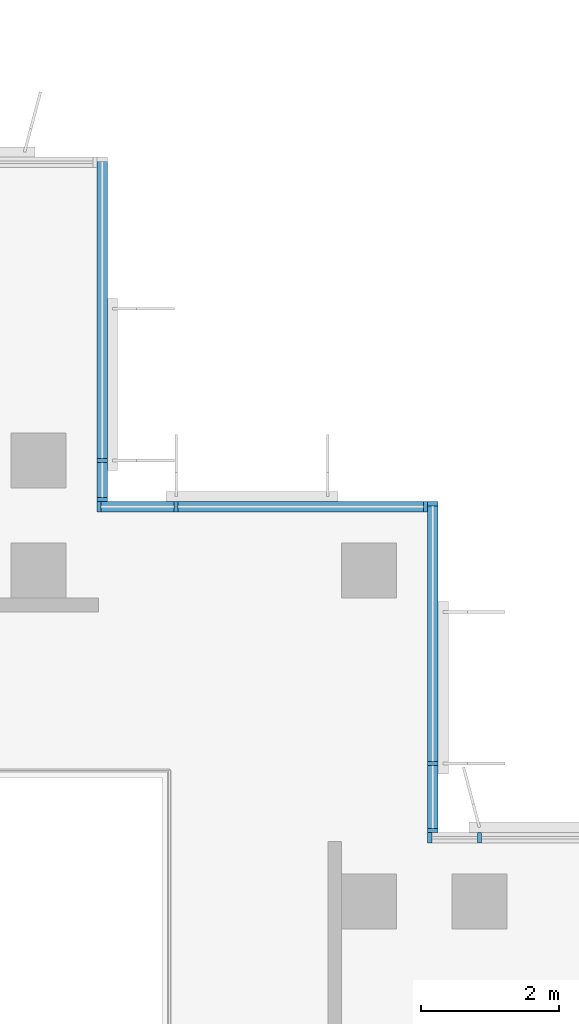
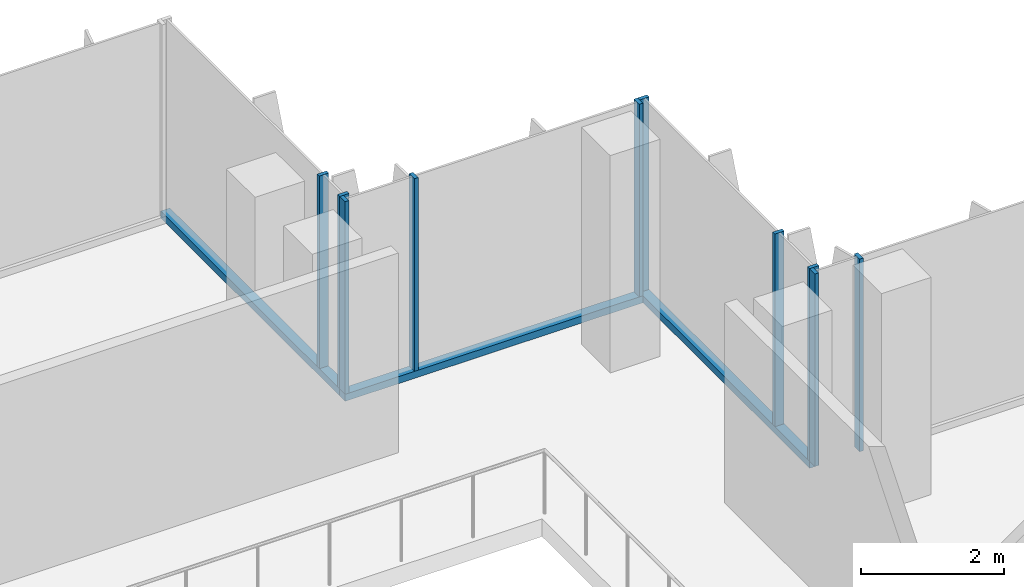
# One storey, part 2 of 14: 13 members, 4 elements without a shape of their own.
"""IFC4 building model written with IfcOpenShell, lengths in metres."""

from ifc_helpers import new_model, si_unit, direction, frame, origin, origin_2d, place, context, subcontext, project, spatial, rectangle, extrude, source, transform, mapped, material, material_profile, profile_set, type_object, element, aggregate, save


model = new_model("IFC4")

# Units and contexts
model_context = context("Model", 3, precision=1e-05, world=origin(), true_north=direction((0.0, 1.0)))
body_context = subcontext(model_context, "Body", "Model", "MODEL_VIEW")
ifc_project = project(units=[si_unit("LENGTHUNIT", "METRE"), si_unit("AREAUNIT", "SQUARE_METRE"), si_unit("VOLUMEUNIT", "CUBIC_METRE"), si_unit("PLANEANGLEUNIT", "RADIAN"), si_unit("MASSUNIT", "GRAM", prefix="KILO")], contexts=[model_context])

# Site, building, storey
site_placement = place(None, origin())
site = spatial("IfcSite", under=ifc_project, at=site_placement, CompositionType="ELEMENT")
building_placement = place(site_placement, origin())
building = spatial("IfcBuilding", under=site, at=building_placement, Name="Kemantara Hotel Tower", CompositionType="ELEMENT")
storey_placement = place(building_placement, frame((0.0, 0.0, 248.699951171875)))
storey = spatial("IfcBuildingStorey", under=building, at=storey_placement, Name="L62", CompositionType="ELEMENT", Elevation=248.699951171875)

# Curtain wall, member
ifc_material_1 = material(Name="Low-E tinted double insulated glass 36 mm", Category="glass")
curtain_wall_type = type_object("IfcCurtainWallType", Name="TOWER CURTAIN WALL, FRONT FACES", PredefinedType="USERDEFINED", material=ifc_material_1)
curtain_wall_1_placement = place(storey_placement, origin())
curtain_wall_1 = element("IfcCurtainWall", 1, at=curtain_wall_1_placement, inside=storey, type_object=curtain_wall_type, Name="CW4 L62 T4P-R00-1", ObjectType="TOWER CURTAIN WALL, FRONT FACES", PredefinedType="USERDEFINED")
ifc_material_2 = material(Name="Aluminium 6063-T6 bronze anodised", Category="aluminium")
ifc_material_profile_1 = material_profile(ifc_material_2, rectangle(XDim=0.14990234375, YDim=0.1201171875, at=origin_2d()), Name="TOWER CURTAIN WALL, FRONT FACES TRANSOM")
ifc_profile_set_1 = profile_set([ifc_material_profile_1], Name="Aluminium 6063-T6 bronze anodised")
member_type_1 = type_object("IfcMemberType", Name="TOWER CURTAIN WALL, FRONT FACES TRANSOM", PredefinedType="USERDEFINED", material=ifc_profile_set_1)
member_1_placement = place(storey_placement, frame((21.925048828125, 26.800048828125, 0.06005859375), z_axis=(0.0, 1.0, 0.0), x_axis=(-1.0, 0.0, 0.0)))
member_1 = element("IfcMember", 2, at=member_1_placement, type_object=member_type_1, Name="CW4 sill transom T4P-R00-1", ObjectType="TRANSOM", PredefinedType="USERDEFINED", context=body_context, shape_type="SweptSolid", body=[
    extrude(rectangle(XDim=0.14990234375, YDim=0.1201171875, at=origin_2d()), origin(), (0.0, 0.0, 1.0), 5.0),
])

curtain_wall_2_placement = place(storey_placement, origin())
curtain_wall_2 = element("IfcCurtainWall", 3, at=curtain_wall_2_placement, inside=storey, type_object=curtain_wall_type, Name="CW4 L62 T4P-R10-1", ObjectType="TOWER CURTAIN WALL, FRONT FACES", PredefinedType="USERDEFINED")
member_2_placement = place(storey_placement, frame((26.72509765625, 22.0, 0.06005859375), z_axis=(0.0, 1.0, 0.0), x_axis=(-1.0, 0.0, 0.0)))
member_2 = element("IfcMember", 4, at=member_2_placement, type_object=member_type_1, Name="CW4 sill transom T4P-R10-1", ObjectType="TRANSOM", PredefinedType="USERDEFINED", context=body_context, shape_type="SweptSolid", body=[
    extrude(rectangle(XDim=0.14990234375, YDim=0.1201171875, at=origin_2d()), origin(), (0.0, 0.0, 1.0), 4.800048828125),
])

curtain_wall_3_placement = place(storey_placement, origin())
curtain_wall_3 = element("IfcCurtainWall", 5, at=curtain_wall_3_placement, inside=storey, type_object=curtain_wall_type, Name="CW4 L62 T4P-R11-1", ObjectType="TOWER CURTAIN WALL, FRONT FACES", PredefinedType="USERDEFINED")
member_3_placement = place(storey_placement, frame((26.64990234375, 26.72509765625, 0.06005859375), z_axis=(-1.0, 0.0, 0.0), x_axis=(0.0, -1.0, 0.0)))
member_3 = element("IfcMember", 6, at=member_3_placement, type_object=member_type_1, Name="CW4 sill transom T4P-R11-1", ObjectType="TRANSOM", PredefinedType="USERDEFINED", context=body_context, shape_type="SweptSolid", body=[
    extrude(rectangle(XDim=0.14990234375, YDim=0.1201171875, at=origin_2d()), origin(), (0.0, 0.0, 1.0), 4.7998046875),
])

# Member
ifc_material_profile_2 = material_profile(ifc_material_2, rectangle(XDim=0.14990234375, YDim=0.06005859375, at=origin_2d()), Name="TOWER CURTAIN WALL, FRONT FACES MULLION")
ifc_profile_set_2 = profile_set([ifc_material_profile_2], Name="Aluminium 6063-T6 bronze anodised")
member_type_2 = type_object("IfcMemberType", Name="TOWER CURTAIN WALL, FRONT FACES MULLION", PredefinedType="MULLION", material=ifc_profile_set_2)
shared_shape = source(origin(), body_context, "Body", "SweptSolid", [
    extrude(rectangle(XDim=0.14990234375, YDim=0.06005859375, at=origin_2d()), origin(), (0.0, 0.0, 1.0), 3.280029296875),
])
member_4_placement = place(storey_placement, frame((21.925048828125, 26.830078125, 0.1201171875), z_axis=(0.0, 0.0, 1.0), x_axis=(-1.0, 0.0, 0.0)))
member_4 = element("IfcMember", 7, at=member_4_placement, type_object=member_type_2, Name="CW4 mullion T4P-R00-1.1", PredefinedType="MULLION", context=body_context, shape_type="MappedRepresentation", body=[
    mapped(shared_shape, transform((0.0, 0.0, 0.0))),
])

member_5_placement = place(storey_placement, frame((21.925048828125, 27.39990234375, 0.1201171875), z_axis=(0.0, 0.0, 1.0), x_axis=(-1.0, 0.0, 0.0)))
member_5 = element("IfcMember", 8, at=member_5_placement, type_object=member_type_2, Name="CW4 mullion T4P-R00-1.2", PredefinedType="MULLION", context=body_context, shape_type="MappedRepresentation", body=[
    mapped(shared_shape, transform((0.0, 0.0, 0.0))),
])

aggregate(curtain_wall_1, [member_1, member_4, member_5])

# Curtain wall, members
curtain_wall_4_placement = place(storey_placement, origin())
curtain_wall_4 = element("IfcCurtainWall", 9, at=curtain_wall_4_placement, inside=storey, type_object=curtain_wall_type, Name="CW4 L62 T4P-R09-1", ObjectType="TOWER CURTAIN WALL, FRONT FACES", PredefinedType="USERDEFINED")
member_6_placement = place(storey_placement, frame((27.39990234375, 21.925048828125, 0.1201171875), z_axis=(0.0, 0.0, 1.0), x_axis=(0.0, -1.0, 0.0)))
member_6 = element("IfcMember", 10, at=member_6_placement, type_object=member_type_2, Name="CW4 mullion T4P-R09-1.5", PredefinedType="MULLION", context=body_context, shape_type="MappedRepresentation", body=[
    mapped(shared_shape, transform((0.0, 0.0, 0.0))),
])
member_7_placement = place(storey_placement, frame((26.679931640625, 21.925048828125, 0.1201171875), z_axis=(0.0, 0.0, 1.0), x_axis=(0.0, -1.0, 0.0)))
member_7 = element("IfcMember", 11, at=member_7_placement, type_object=member_type_2, Name="CW4 mullion T4P-R09-1.6", PredefinedType="MULLION", context=body_context, shape_type="MappedRepresentation", body=[
    mapped(shared_shape, transform((0.0, 0.0, 0.0))),
])
aggregate(curtain_wall_4, [member_6, member_7])

# Member
member_8_placement = place(storey_placement, frame((26.72509765625, 22.030029296875, 0.1201171875), z_axis=(0.0, 0.0, 1.0), x_axis=(-1.0, 0.0, 0.0)))
member_8 = element("IfcMember", 12, at=member_8_placement, type_object=member_type_2, Name="CW4 mullion T4P-R10-1.1", PredefinedType="MULLION", context=body_context, shape_type="MappedRepresentation", body=[
    mapped(shared_shape, transform((0.0, 0.0, 0.0))),
])

member_9_placement = place(storey_placement, frame((26.72509765625, 23.0, 0.1201171875), z_axis=(0.0, 0.0, 1.0), x_axis=(-1.0, 0.0, 0.0)))
member_9 = element("IfcMember", 13, at=member_9_placement, type_object=member_type_2, Name="CW4 mullion T4P-R10-1.2", PredefinedType="MULLION", context=body_context, shape_type="MappedRepresentation", body=[
    mapped(shared_shape, transform((0.0, 0.0, 0.0))),
])

member_10_placement = place(storey_placement, frame((26.72509765625, 26.77001953125, 0.1201171875), z_axis=(0.0, 0.0, 1.0), x_axis=(-1.0, 0.0, 0.0)))
member_10 = element("IfcMember", 14, at=member_10_placement, type_object=member_type_2, Name="CW4 mullion T4P-R10-1.3", PredefinedType="MULLION", context=body_context, shape_type="MappedRepresentation", body=[
    mapped(shared_shape, transform((0.0, 0.0, 0.0))),
])

aggregate(curtain_wall_2, [member_2, member_8, member_9, member_10])

member_11_placement = place(storey_placement, frame((26.6201171875, 26.72509765625, 0.1201171875), z_axis=(0.0, 0.0, 1.0), x_axis=(0.0, -1.0, 0.0)))
member_11 = element("IfcMember", 15, at=member_11_placement, type_object=member_type_2, Name="CW4 mullion T4P-R11-1.1", PredefinedType="MULLION", context=body_context, shape_type="MappedRepresentation", body=[
    mapped(shared_shape, transform((0.0, 0.0, 0.0))),
])

member_12_placement = place(storey_placement, frame((23.0, 26.72509765625, 0.1201171875), z_axis=(0.0, 0.0, 1.0), x_axis=(0.0, -1.0, 0.0)))
member_12 = element("IfcMember", 16, at=member_12_placement, type_object=member_type_2, Name="CW4 mullion T4P-R11-1.2", PredefinedType="MULLION", context=body_context, shape_type="MappedRepresentation", body=[
    mapped(shared_shape, transform((0.0, 0.0, 0.0))),
])

member_13_placement = place(storey_placement, frame((21.8798828125, 26.72509765625, 0.1201171875), z_axis=(0.0, 0.0, 1.0), x_axis=(0.0, -1.0, 0.0)))
member_13 = element("IfcMember", 17, at=member_13_placement, type_object=member_type_2, Name="CW4 mullion T4P-R11-1.3", PredefinedType="MULLION", context=body_context, shape_type="MappedRepresentation", body=[
    mapped(shared_shape, transform((0.0, 0.0, 0.0))),
])

aggregate(curtain_wall_3, [member_3, member_11, member_12, member_13])

save(model, "model.ifc")
